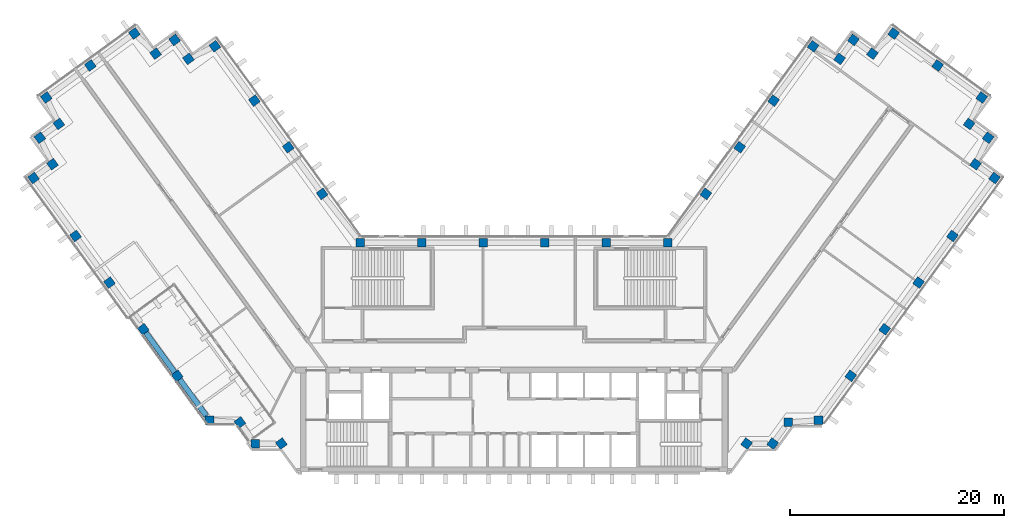
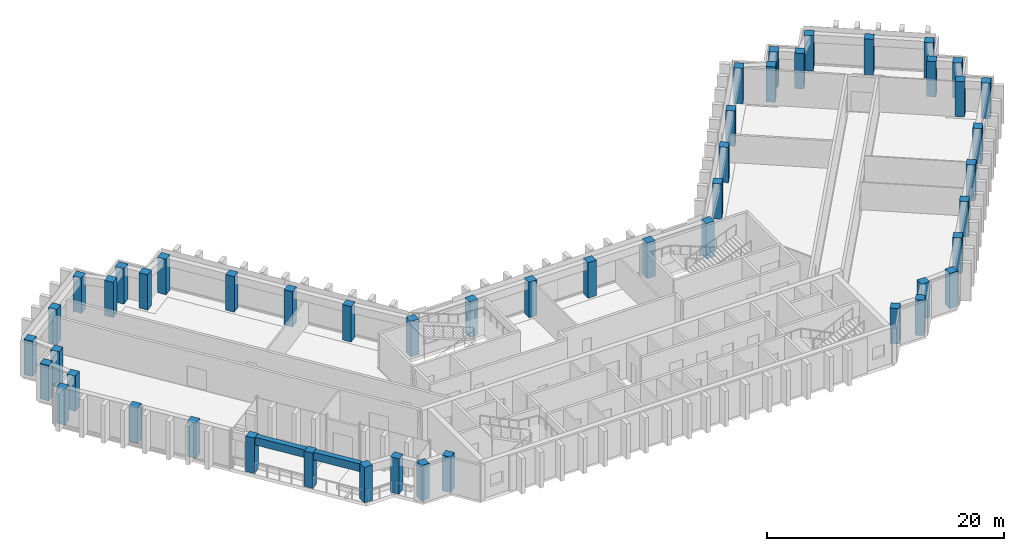
# One storey, part 1 of 12: 50 columns, 2 beams.
"""IFC4 building model written with IfcOpenShell, lengths in metres."""

from ifc_helpers import new_model, si_unit, direction, frame, origin, origin_2d, place, context, subcontext, project, spatial, rectangle, extrude, material, material_profile, profile_set, type_object, element, save


model = new_model("IFC4")

# Units and contexts
model_context = context("Model", 3, precision=1e-05, world=origin(), true_north=direction((0.0, 1.0)))
body_context = subcontext(model_context, "Body", "Model", "MODEL_VIEW")
ifc_project = project(units=[si_unit("LENGTHUNIT", "METRE"), si_unit("AREAUNIT", "SQUARE_METRE"), si_unit("VOLUMEUNIT", "CUBIC_METRE"), si_unit("PLANEANGLEUNIT", "RADIAN"), si_unit("MASSUNIT", "GRAM", prefix="KILO")], contexts=[model_context])

# Site, building, storey
site_placement = place(None, origin())
site = spatial("IfcSite", under=ifc_project, at=site_placement, CompositionType="ELEMENT")
building_placement = place(site_placement, origin())
building = spatial("IfcBuilding", under=site, at=building_placement, Name="Quipu Civic Tower", CompositionType="ELEMENT")
storey_placement = place(building_placement, frame((0.0, 0.0, 164.0)))
storey = spatial("IfcBuildingStorey", under=building, at=storey_placement, Name="L38", CompositionType="ELEMENT", Elevation=164.0)

# Columns
ifc_material_1 = material(Name="Concrete C60/75", Category="concrete")
ifc_material_profile_1 = material_profile(ifc_material_1, rectangle(XDim=0.800048828125, YDim=0.800048828125, at=origin_2d()), Name="RC800x800")
ifc_profile_set_1 = profile_set([ifc_material_profile_1], Name="Concrete C60/75")
column_type = type_object("IfcColumnType", Name="Perimeter column RC 800x800 C60/75", PredefinedType="COLUMN", material=ifc_profile_set_1)
for number, where, z_axis, x_axis, name in (
    (1, (-17.9736328125, 15.074951171875, 0.0), (0.0, 0.0, 1.0), (-0.587785252292, 0.809016994375, 0.0), "Column L38 W-IN-01"),
    (2, (-21.1474609375, 19.44384765625, 0.0), (0.0, 0.0, 1.0), (-0.587785252292, 0.809016994375, 0.0), "Column L38 W-IN-02"),
    (3, (-24.3212890625, 23.8125, 0.0), (0.0, 0.0, 1.0), (-0.587785252292, 0.809016994375, 0.0), "Column L38 W-IN-03"),
    (4, (-28.02001953125, 28.905029296875, 0.0), (0.0, 0.0, 1.0), (-0.809016994375, -0.587785252292, 0.0), "Column L38 T-Wi.0-W34"),
    (5, (-30.498779296875, 27.72265625, 0.0), (0.0, 0.0, 1.0), (-0.809016994375, -0.587785252292, 0.0), "Column L38 T-Wi.1-W34"),
    (6, (-31.794921875, 29.5, 0.0), (0.0, 0.0, 1.0), (-0.587785252292, 0.809016994375, 0.0), "Column L38 T-Wi.2-W34"),
    (7, (-33.573974609375, 28.20947265625, 0.0), (0.0, 0.0, 1.0), (-0.587785252292, 0.809016994375, 0.0), "Column L38 T-Wi.3-W34"),
    (8, (-35.56494140625, 30.10009765625, 0.0), (0.0, 0.0, 1.0), (-0.809016994375, -0.587785252292, 0.0), "Column L38 T-Wi.4-W34"),
    (9, (-39.690673828125, 27.10205078125, 0.0), (0.0, 0.0, 1.0), (-0.809016994375, -0.587785252292, 0.0), "Column L38 TIP-W-01-W34"),
    (10, (-43.81494140625, 24.10498046875, 0.0), (0.0, 0.0, 1.0), (-0.809016994375, -0.587785252292, 0.0), "Column L38 T-Wo.0-W34"),
    (11, (-42.635009765625, 21.626220703125, 0.0), (0.0, 0.0, 1.0), (-0.809016994375, -0.587785252292, 0.0), "Column L38 T-Wo.1-W34"),
    (12, (-44.4150390625, 20.3349609375, 0.0), (0.0, 0.0, 1.0), (0.587785252292, -0.809016994375, 0.0), "Column L38 T-Wo.2-W34"),
    (13, (-43.23095703125, 17.8544921875, 0.0), (0.0, 0.0, 1.0), (0.587785252292, -0.809016994375, 0.0), "Column L38 T-Wo.3-W34"),
    (14, (-45.010009765625, 16.56005859375, 0.0), (0.0, 0.0, 1.0), (0.587785252292, -0.809016994375, 0.0), "Column L38 T-Wo.4-W34"),
    (15, (-41.0703125, 11.137451171875, 0.0), (0.0, 0.0, 1.0), (0.587785252292, -0.809016994375, 0.0), "Column L38 W-OUT-04"),
    (16, (-37.896240234375, 6.768798828125, 0.0), (0.0, 0.0, 1.0), (0.587785252292, -0.809016994375, 0.0), "Column L38 W-OUT-03"),
    (17, (-34.722412109375, 2.39990234375, 0.0), (0.0, 0.0, 1.0), (0.587785252292, -0.809016994375, 0.0), "Column L38 W-OUT-02"),
    (18, (-31.54833984375, -1.96875, 0.0), (0.0, 0.0, 1.0), (0.587785252292, -0.809016994375, 0.0), "Column L38 W-OUT-01"),
    (19, (-28.52490234375, -6.1298828125, 0.0), (0.0, 0.0, 1.0), (1.0, 0.0, 0.0), "Column L38 J-Wo.0"),
    (20, (-25.67431640625, -6.3369140625, 0.0), (0.0, 0.0, 1.0), (0.587785252292, -0.809016994375, 0.0), "Column L38 J-Wo.1"),
    (21, (-24.235107421875, -8.31494140625, 0.0), (0.0, 0.0, 1.0), (1.0, 0.0, 0.0), "Column L38 J-Wo.2"),
    (22, (-21.791748046875, -8.31494140625, 0.0), (0.0, 0.0, 1.0), (0.587785252292, -0.809016994375, 0.0), "Column L38 J-Wo.3"),
    (23, (21.791748046875, -8.31494140625, 0.0), (0.0, 0.0, 1.0), (0.587785252292, 0.809016994375, 0.0), "Column L38 J-Eo.1"),
    (24, (24.235107421875, -8.31494140625, 0.0), (0.0, 0.0, 1.0), (0.587785252292, 0.809016994375, 0.0), "Column L38 J-Eo.2"),
    (25, (25.67431640625, -6.3369140625, 0.0), (0.0, 0.0, 1.0), (1.0, 0.0, 0.0), "Column L38 J-Eo.3"),
    (26, (28.52490234375, -6.1298828125, 0.0), (0.0, 0.0, 1.0), (1.0, 0.0, 0.0), "Column L38 J-Eo.4"),
    (27, (31.54833984375, -1.96875, 0.0), (0.0, 0.0, 1.0), (0.587785252292, 0.809016994375, 0.0), "Column L38 E-OUT-01"),
    (28, (34.722412109375, 2.39990234375, 0.0), (0.0, 0.0, 1.0), (0.587785252292, 0.809016994375, 0.0), "Column L38 E-OUT-02"),
    (29, (37.896240234375, 6.768798828125, 0.0), (0.0, 0.0, 1.0), (0.587785252292, 0.809016994375, 0.0), "Column L38 E-OUT-03"),
    (30, (41.0703125, 11.137451171875, 0.0), (0.0, 0.0, 1.0), (0.587785252292, 0.809016994375, 0.0), "Column L38 E-OUT-04"),
    (31, (45.010009765625, 16.56005859375, 0.0), (0.0, 0.0, 1.0), (0.587785252292, 0.809016994375, 0.0), "Column L38 T-Eo.0-E34"),
    (32, (43.23095703125, 17.8544921875, 0.0), (0.0, 0.0, 1.0), (0.587785252292, 0.809016994375, 0.0), "Column L38 T-Eo.1-E34"),
    (33, (44.4150390625, 20.3349609375, 0.0), (0.0, 0.0, 1.0), (0.587785252292, 0.809016994375, 0.0), "Column L38 T-Eo.2-E34"),
    (34, (42.635009765625, 21.626220703125, 0.0), (0.0, 0.0, 1.0), (-0.809016994375, 0.587785252292, 0.0), "Column L38 T-Eo.3-E34"),
    (35, (43.81494140625, 24.10498046875, 0.0), (0.0, 0.0, 1.0), (-0.809016994375, 0.587785252292, 0.0), "Column L38 T-Eo.4-E34"),
    (36, (39.690673828125, 27.10205078125, 0.0), (0.0, 0.0, 1.0), (-0.809016994375, 0.587785252292, 0.0), "Column L38 TIP-E-01-E34"),
    (37, (35.56494140625, 30.10009765625, 0.0), (0.0, 0.0, 1.0), (-0.587785252292, -0.809016994375, 0.0), "Column L38 T-Ei.0-E34"),
    (38, (33.573974609375, 28.20947265625, 0.0), (0.0, 0.0, 1.0), (-0.809016994375, 0.587785252292, 0.0), "Column L38 T-Ei.1-E34"),
    (39, (31.794921875, 29.5, 0.0), (0.0, 0.0, 1.0), (-0.587785252292, -0.809016994375, 0.0), "Column L38 T-Ei.2-E34"),
    (40, (30.498779296875, 27.72265625, 0.0), (0.0, 0.0, 1.0), (-0.809016994375, 0.587785252292, 0.0), "Column L38 T-Ei.3-E34"),
    (41, (28.02001953125, 28.905029296875, 0.0), (0.0, 0.0, 1.0), (-0.809016994375, 0.587785252292, 0.0), "Column L38 T-Ei.4-E34"),
    (42, (24.3212890625, 23.8125, 0.0), (0.0, 0.0, 1.0), (-0.587785252292, -0.809016994375, 0.0), "Column L38 E-IN-03"),
    (43, (21.1474609375, 19.44384765625, 0.0), (0.0, 0.0, 1.0), (-0.587785252292, -0.809016994375, 0.0), "Column L38 E-IN-02"),
    (44, (17.9736328125, 15.074951171875, 0.0), (0.0, 0.0, 1.0), (-0.587785252292, -0.809016994375, 0.0), "Column L38 E-IN-01"),
    (45, (14.395263671875, 10.5, 0.0), (0.0, 0.0, 1.0), (-1.0, 0.0, 0.0), "Column L38 J-Ei.0"),
    (46, (8.63720703125, 10.5, 0.0), (0.0, 0.0, 1.0), (-1.0, 0.0, 0.0), "Column L38 FRONT-01"),
    (47, (2.87890625, 10.5, 0.0), (0.0, 0.0, 1.0), (-1.0, 0.0, 0.0), "Column L38 FRONT-02"),
    (48, (-2.87890625, 10.5, 0.0), (0.0, 0.0, 1.0), (-1.0, 0.0, 0.0), "Column L38 FRONT-03"),
    (49, (-8.63720703125, 10.5, 0.0), (0.0, 0.0, 1.0), (-1.0, 0.0, 0.0), "Column L38 FRONT-04"),
    (50, (-14.395263671875, 10.5, 0.0), (0.0, 0.0, 1.0), (-1.0, 0.0, 0.0), "Column L38 J-Wi.0"),
):
    element("IfcColumn", number, at=place(storey_placement, frame(where, z_axis=z_axis, x_axis=x_axis)), inside=storey, type_object=column_type, Name=name, PredefinedType="COLUMN", context=body_context, shape_type="SweptSolid", body=[
        extrude(rectangle(XDim=0.800048828125, YDim=0.800048828125, at=origin_2d()), origin(), (0.0, 0.0, 1.0), 3.64990234375),
    ])

# Beams
ifc_material_2 = material(Name="Concrete C50/60", Category="concrete")
ifc_material_profile_2 = material_profile(ifc_material_2, rectangle(XDim=0.5, YDim=0.800048828125, at=origin_2d()), Name="RC500x800")
ifc_profile_set_2 = profile_set([ifc_material_profile_2], Name="Concrete C50/60")
beam_type = type_object("IfcBeamType", Name="Spandrel beam RC 500x800 C50/60", PredefinedType="SPANDREL", material=ifc_profile_set_2)
beam_1_placement = place(storey_placement, frame((-34.4873046875, 2.076416015625, 3.25), z_axis=(0.587796098864, -0.809009113768, 0.0), x_axis=(0.809009113768, 0.587796098864, 0.0)))
element("IfcBeam", 51, at=beam_1_placement, inside=storey, type_object=beam_type, Name="Spandrel beam L38 W-OUT-02 to W-OUT-01", PredefinedType="SPANDREL", context=body_context, shape_type="SweptSolid", body=[
    extrude(rectangle(XDim=0.5, YDim=0.800048828125, at=origin_2d()), origin(), (0.0, 0.0, 1.0), 4.60009765625),
])
beam_2_placement = place(storey_placement, frame((-31.313232421875, -2.292236328125, 3.25), z_axis=(0.58776850526, -0.809029161541, 0.0), x_axis=(0.809029161541, 0.58776850526, 0.0)))
element("IfcBeam", 52, at=beam_2_placement, inside=storey, type_object=beam_type, Name="Spandrel beam L38 W-OUT-01 to J-Wo.0", PredefinedType="SPANDREL", context=body_context, shape_type="SweptSolid", body=[
    extrude(rectangle(XDim=0.5, YDim=0.800048828125, at=origin_2d()), origin(), (0.0, 0.0, 1.0), 4.249267578125),
])

save(model, "model.ifc")
